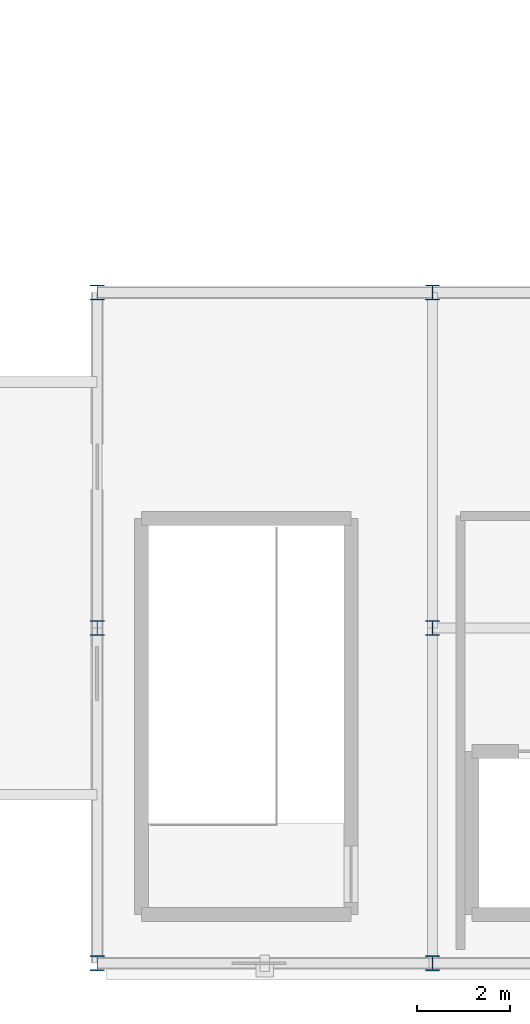
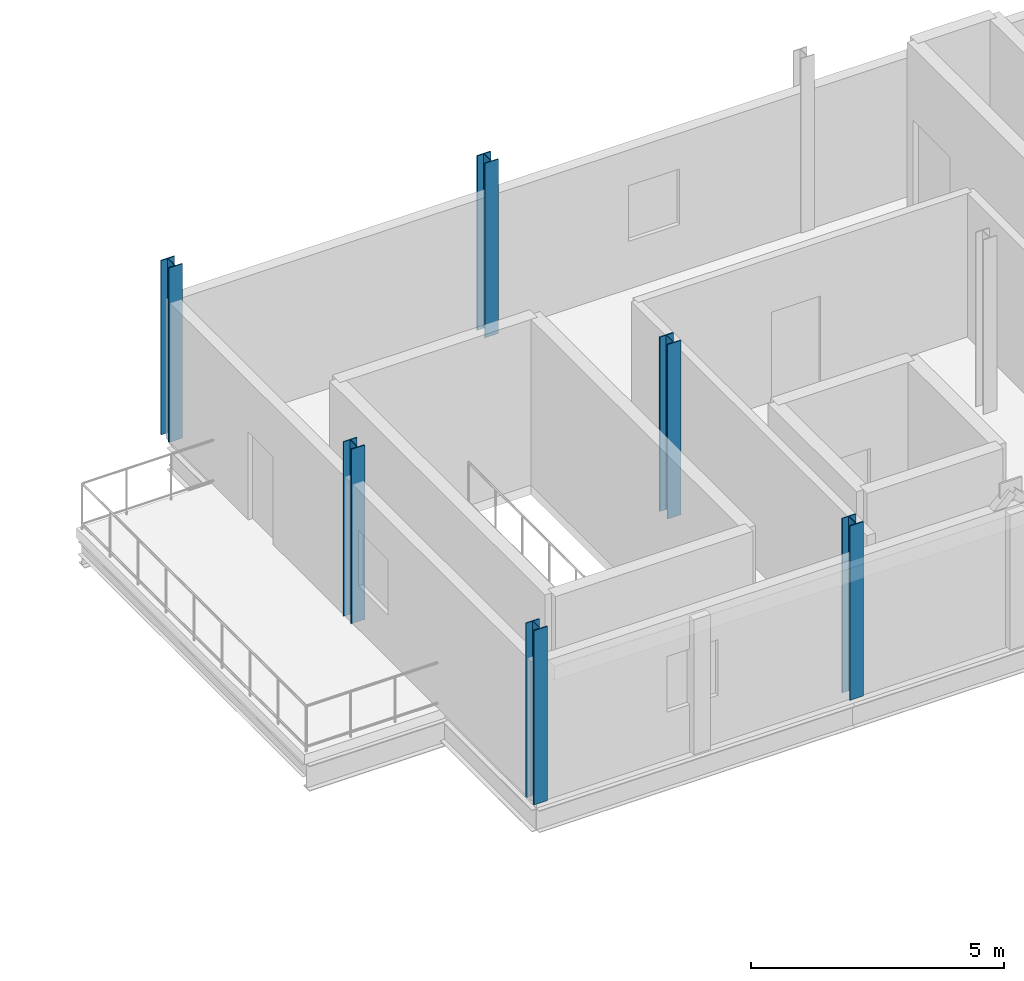
# One storey, part 1 of 28: 6 columns.
"""IFC4 building model written with IfcOpenShell, lengths in metres."""

from ifc_helpers import new_model, si_unit, direction, frame, origin, origin_2d, place, context, subcontext, project, spatial, i_section, extrude, material, material_profile, profile_set, type_object, element, save


model = new_model("IFC4")

# Units and contexts
model_context = context("Model", 3, precision=1e-05, world=origin(), true_north=direction((0.0, 1.0)))
body_context = subcontext(model_context, "Body", "Model", "MODEL_VIEW")
ifc_project = project(units=[si_unit("LENGTHUNIT", "METRE"), si_unit("AREAUNIT", "SQUARE_METRE"), si_unit("VOLUMEUNIT", "CUBIC_METRE"), si_unit("PLANEANGLEUNIT", "RADIAN"), si_unit("MASSUNIT", "GRAM", prefix="KILO")], contexts=[model_context])

# Site, building, storey
site_placement = place(None, origin())
site = spatial("IfcSite", under=ifc_project, at=site_placement, CompositionType="ELEMENT")
building_placement = place(site_placement, origin())
building = spatial("IfcBuilding", under=site, at=building_placement, Name="Yarey Park Central Fire Station", CompositionType="ELEMENT")
storey_placement = place(building_placement, frame((0.0, 0.0, 22.199951171875)))
storey = spatial("IfcBuildingStorey", under=building, at=storey_placement, Name="L06", CompositionType="ELEMENT", Elevation=22.199951171875)

# Columns
ifc_material = material(Name="Steel ASTM A992 Gr. 50", Category="steel")
ifc_material_profile_1 = material_profile(ifc_material, i_section(OverallWidth=0.30908203125, OverallDepth=0.322998046875, WebThickness=0.013916015625, FlangeThickness=0.02294921875, at=origin_2d()), Name="W310x143")
ifc_profile_set_1 = profile_set([ifc_material_profile_1], Name="Steel ASTM A992 Gr. 50")
column_type_1 = type_object("IfcColumnType", Name="STR_COL_W310_EXT", PredefinedType="COLUMN", material=ifc_profile_set_1)
for number, where, z_axis, x_axis, name in (
    (1, (144.0, 0.0, 0.0), (0.0, 0.0, 1.0), (1.0, 0.0, 0.0), "COL_L06_X1440_Y0"),
    (2, (144.0, 7.199951171875, 0.0), (0.0, 0.0, 1.0), (1.0, 0.0, 0.0), "COL_L06_X1440_Y72"),
    (3, (144.0, 14.39990234375, 0.0), (0.0, 0.0, 1.0), (1.0, 0.0, 0.0), "COL_L06_X1440_Y144"),
    (4, (151.199951171875, 0.0, 0.0), (0.0, 0.0, 1.0), (1.0, 0.0, 0.0), "COL_L06_X1512_Y0"),
    (5, (151.199951171875, 14.39990234375, 0.0), (0.0, 0.0, 1.0), (1.0, 0.0, 0.0), "COL_L06_X1512_Y144"),
):
    element("IfcColumn", number, at=place(storey_placement, frame(where, z_axis=z_axis, x_axis=x_axis)), inside=storey, type_object=column_type_1, Name=name, PredefinedType="COLUMN", context=body_context, shape_type="SweptSolid", body=[
        extrude(i_section(OverallWidth=0.30908203125, OverallDepth=0.322998046875, WebThickness=0.013916015625, FlangeThickness=0.02294921875, at=origin_2d()), origin(), (0.0, 0.0, 1.0), 4.199951171875),
    ])
ifc_material_profile_2 = material_profile(ifc_material, i_section(OverallWidth=0.30908203125, OverallDepth=0.322998046875, WebThickness=0.013916015625, FlangeThickness=0.02294921875, at=origin_2d()), Name="W310x143")
ifc_profile_set_2 = profile_set([ifc_material_profile_2], Name="Steel ASTM A992 Gr. 50")
column_type_2 = type_object("IfcColumnType", Name="STR_COL_W310_INT", PredefinedType="COLUMN", material=ifc_profile_set_2)
column_placement = place(storey_placement, frame((151.199951171875, 7.199951171875, 0.0), z_axis=(0.0, 0.0, 1.0), x_axis=(1.0, 0.0, 0.0)))
element("IfcColumn", 6, at=column_placement, inside=storey, type_object=column_type_2, Name="COL_L06_X1512_Y72", PredefinedType="COLUMN", context=body_context, shape_type="SweptSolid", body=[
    extrude(i_section(OverallWidth=0.30908203125, OverallDepth=0.322998046875, WebThickness=0.013916015625, FlangeThickness=0.02294921875, at=origin_2d()), origin(), (0.0, 0.0, 1.0), 4.199951171875),
])

save(model, "model.ifc")
